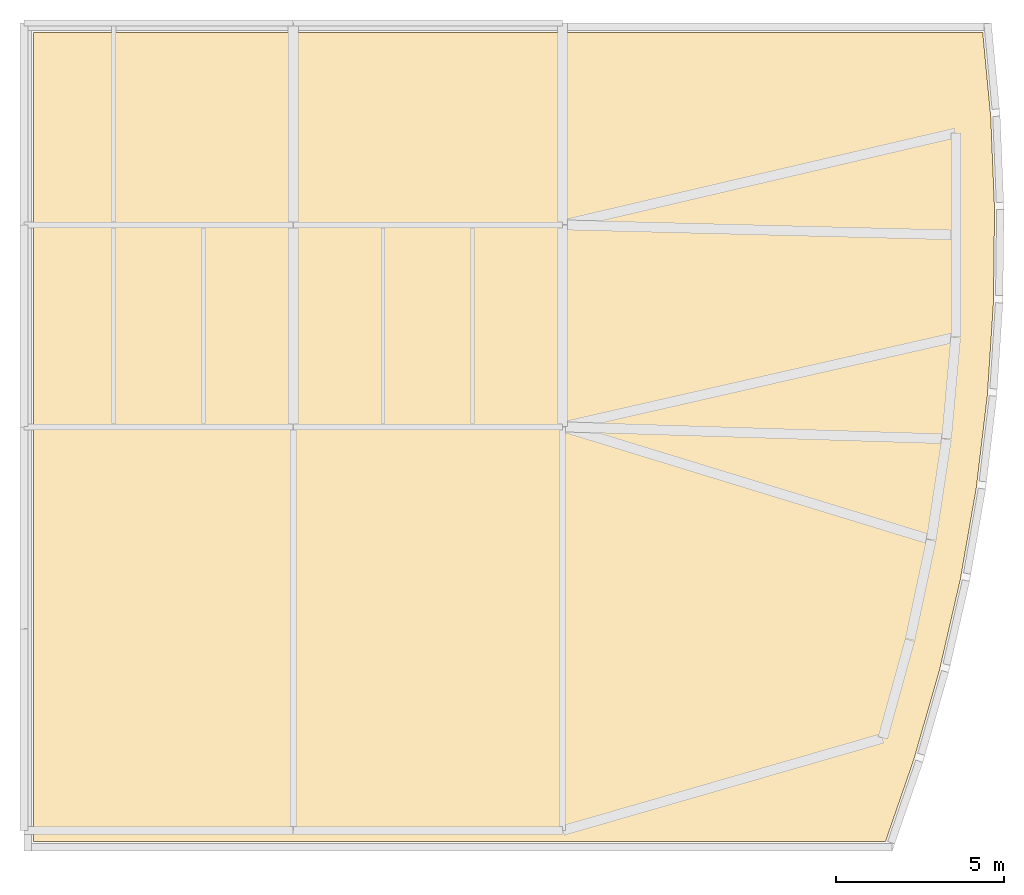
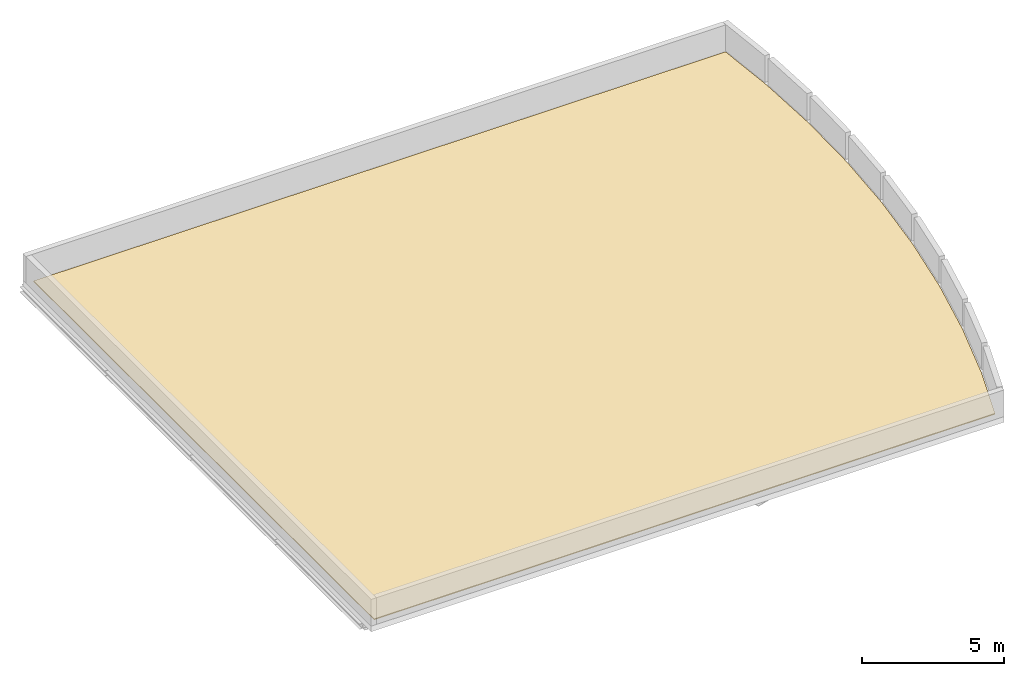
# One storey, part 2 of 2: 1 covering.
"""IFC4 building model written with IfcOpenShell, lengths in metres."""

from ifc_helpers import new_model, si_unit, direction, frame, origin, place, context, subcontext, project, spatial, polyline, outline, extrude, material, layer, layer_set, type_object, element, save


model = new_model("IFC4")

# Units and contexts
model_context = context("Model", 3, precision=1e-05, world=origin(), true_north=direction((0.0, 1.0)))
body_context = subcontext(model_context, "Body", "Model", "MODEL_VIEW")
ifc_project = project(units=[si_unit("LENGTHUNIT", "METRE"), si_unit("AREAUNIT", "SQUARE_METRE"), si_unit("VOLUMEUNIT", "CUBIC_METRE"), si_unit("PLANEANGLEUNIT", "RADIAN"), si_unit("MASSUNIT", "GRAM", prefix="KILO")], contexts=[model_context])

# Site, building, storey
site_placement = place(None, origin())
site = spatial("IfcSite", under=ifc_project, at=site_placement, CompositionType="ELEMENT")
building_placement = place(site_placement, origin())
building = spatial("IfcBuilding", under=site, at=building_placement, Name="Cymarion Research Institute", CompositionType="ELEMENT")
storey_placement = place(building_placement, frame((0.0, 0.0, 46.199951171875)))
storey = spatial("IfcBuildingStorey", under=building, at=storey_placement, Name="RF", CompositionType="ELEMENT", Elevation=46.199951171875)

# Covering
ifc_material = material(Name="Pre-weathered titanium-zinc standing seam roofing", Category="metal")
ifc_layer = layer(ifc_material, 0.0400390625)
ifc_layer_set = layer_set([ifc_layer], Name="Pre-weathered titanium-zinc standing seam roofing")
covering_type = type_object("IfcCoveringType", Name="STANDING SEAM ZINC ROOF MEMBRANE COV-RF01", PredefinedType="ROOFING", material=ifc_layer_set)
covering_placement = place(storey_placement, origin())
element("IfcCovering", 1, at=covering_placement, inside=storey, type_object=covering_type, Name="RF ROOF-RF-V1 standing-seam zinc roofing membrane", PredefinedType="ROOFING", context=body_context, shape_type="SweptSolid", body=[
    extrude(outline(polyline([(138.8798828125, 5.179931640625), (138.8798828125, 29.219970703125), (167.0888671875, 29.219970703125), (167.326904296875, 26.714111328125), (167.44091796875, 23.952392578125), (167.4072265625, 21.188232421875), (167.22607421875, 18.429931640625), (166.897705078125, 15.685302734375), (166.4228515625, 12.9619140625), (165.8037109375, 10.26806640625), (165.041015625, 7.611083984375), (164.20068359375, 5.179931640625), (138.8798828125, 5.179931640625)])), origin(), (0.0, 0.0, 1.0), 0.0400390625),
])

save(model, "model.ifc")
